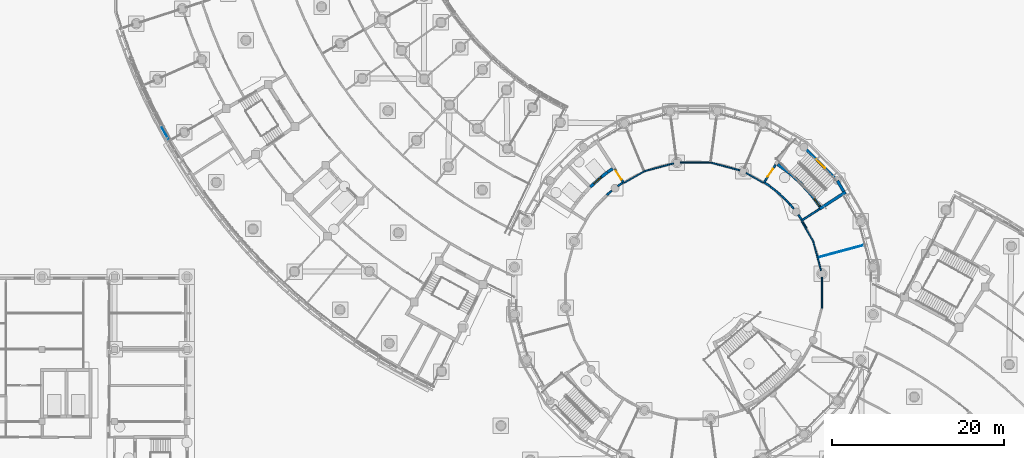
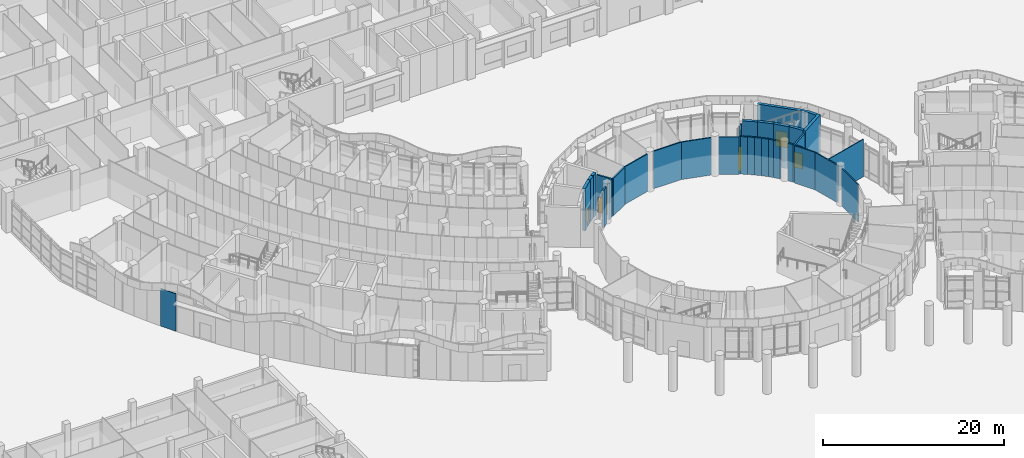
# One storey, part 63 of 146: 33 walls, 5 doors, 5 openings.
"""IFC4 building model written with IfcOpenShell, lengths in metres."""

from ifc_helpers import new_model, si_unit, direction, frame, frame_2d, origin, place, context, subcontext, project, spatial, rectangle, extrude, material, layer, layer_set, type_object, element, fill, save


model = new_model("IFC4")

# Units and contexts
model_context = context("Model", 3, precision=1e-05, world=origin(), true_north=direction((0.0, 1.0)))
body_context = subcontext(model_context, "Body", "Model", "MODEL_VIEW")
ifc_project = project(units=[si_unit("LENGTHUNIT", "METRE"), si_unit("AREAUNIT", "SQUARE_METRE"), si_unit("VOLUMEUNIT", "CUBIC_METRE"), si_unit("PLANEANGLEUNIT", "RADIAN"), si_unit("MASSUNIT", "GRAM", prefix="KILO")], contexts=[model_context])

# Site, building, storey
site_placement = place(None, origin())
site = spatial("IfcSite", under=ifc_project, at=site_placement, CompositionType="ELEMENT")
building_placement = place(site_placement, origin())
building = spatial("IfcBuilding", under=site, at=building_placement, Name="Bougainvillea Quay General Hospital", CompositionType="ELEMENT")
storey_placement = place(building_placement, origin())
storey = spatial("IfcBuildingStorey", under=building, at=storey_placement, Name="L00", CompositionType="ELEMENT", Elevation=0.0)

# Walls
ifc_material_1 = material(Name="Gypsum board partition on steel studs", Category="steel")
ifc_layer_1 = layer(ifc_material_1, 0.10009765625)
ifc_layer_set_1 = layer_set([ifc_layer_1], Name="Gypsum board partition on steel studs")
wall_type_1 = type_object("IfcWallType", Name="Partition 100 Gypsum board partition", PredefinedType="PARTITIONING", material=ifc_layer_set_1)
wall_1_placement = place(storey_placement, frame((123.640625, 77.869140625, 0.0), z_axis=(0.0, 0.0, 1.0), x_axis=(0.965887917043, 0.258960482912, 0.0)))
element("IfcWall", 1, at=wall_1_placement, inside=storey, type_object=wall_type_1, Name="Partition 100 mm", PredefinedType="PARTITIONING", context=body_context, shape_type="SweptSolid", body=[
    extrude(rectangle(XDim=5.419921875, YDim=0.10009765625, at=frame_2d((2.7099609375, 0.0))), origin(), (0.0, 0.0, 1.0), 5.050048828125),
])
wall_2_placement = place(storey_placement, frame((121.903076171875, 81.9765625, 0.0), z_axis=(0.0, 0.0, 1.0), x_axis=(0.510737664175, -0.859736609894, 0.0)))
element("IfcWall", 2, at=wall_2_placement, inside=storey, type_object=wall_type_1, Name="Partition 100 mm", PredefinedType="PARTITIONING", context=body_context, shape_type="SweptSolid", body=[
    extrude(rectangle(XDim=0.7939453125, YDim=0.10009765625, at=frame_2d((0.39697265625, 0.0))), origin(), (0.0, 0.0, 1.0), 5.050048828125),
])
ifc_layer_2 = layer(ifc_material_1, 0.10009765625)
ifc_layer_set_2 = layer_set([ifc_layer_2], Name="Gypsum board partition on steel studs")
wall_type_2 = type_object("IfcWallType", Name="Partition 100 Gypsum board partition EI 30", PredefinedType="PARTITIONING", material=ifc_layer_set_2)
wall_3_placement = place(storey_placement, frame((47.3837890625, 93.15771484375, 0.0), z_axis=(0.0, 0.0, 1.0), x_axis=(0.483136563149, -0.87554500818, 0.0)))
element("IfcWall", 3, at=wall_3_placement, inside=storey, type_object=wall_type_2, Name="Partition 100 mm EI 30", PredefinedType="PARTITIONING", context=body_context, shape_type="SweptSolid", body=[
    extrude(rectangle(XDim=1.961669921875, YDim=0.10009765625, at=frame_2d((0.98095703125, 0.0))), origin(), (0.0, 0.0, 1.0), 5.050048828125),
])
ifc_material_2 = material(Name="Gypsum board partition on steel studs, insulated", Category="steel")
ifc_layer_3 = layer(ifc_material_2, 0.14990234375)
ifc_layer_set_3 = layer_set([ifc_layer_3], Name="Gypsum board partition on steel studs, insulated")
wall_type_3 = type_object("IfcWallType", Name="Partition 150 Gypsum board partition", PredefinedType="PARTITIONING", material=ifc_layer_set_3)
wall_4_placement = place(storey_placement, frame((121.732666015625, 82.02294921875, 0.0), z_axis=(0.0, 0.0, 1.0), x_axis=(0.502063923765, -0.864830513138, 0.0)))
element("IfcWall", 4, at=wall_4_placement, inside=storey, type_object=wall_type_3, Name="Partition 150 mm", PredefinedType="PARTITIONING", context=body_context, shape_type="SweptSolid", body=[
    extrude(rectangle(XDim=2.71484375, YDim=0.14990234375, at=frame_2d((1.357421875, 0.0))), origin(), (0.0, 0.0, 1.0), 5.050048828125),
])
for number, where, z_axis, x_axis, name in (
    (5, (107.635009765625, 88.8720703125, 0.0), (0.0, 0.0, 1.0), (1.0, 0.0, 0.0), "Partition 150 mm"),
    (6, (124.072021484375, 71.967041015625, 0.0), (0.0, 0.0, 1.0), (0.0, 1.0, 0.0), "Partition 150 mm"),
):
    element("IfcWall", number, at=place(storey_placement, frame(where, z_axis=z_axis, x_axis=x_axis)), inside=storey, type_object=wall_type_3, Name=name, PredefinedType="PARTITIONING", context=body_context, shape_type="SweptSolid", body=[
        extrude(rectangle(XDim=3.597900390625, YDim=0.14990234375, at=frame_2d((1.798828125, 0.0))), origin(), (0.0, 0.0, 1.0), 5.050048828125),
    ])
wall_5_placement = place(storey_placement, frame((103.3876953125, 87.838623046875, 0.0), z_axis=(0.0, 0.0, 1.0), x_axis=(0.965887148397, 0.258963349841, 0.0)))
element("IfcWall", 7, at=wall_5_placement, inside=storey, type_object=wall_type_3, Name="Partition 150 mm", PredefinedType="PARTITIONING", context=body_context, shape_type="SweptSolid", body=[
    extrude(rectangle(XDim=3.59765625, YDim=0.14990234375, at=frame_2d((1.798828125, 0.0))), origin(), (0.0, 0.0, 1.0), 5.050048828125),
])
wall_6_placement = place(storey_placement, frame((111.214111328125, 88.85693359375, 0.0), z_axis=(0.0, 0.0, 1.0), x_axis=(0.965886698866, -0.258965026507, 0.0)))
element("IfcWall", 8, at=wall_6_placement, inside=storey, type_object=wall_type_3, Name="Partition 150 mm", PredefinedType="PARTITIONING", context=body_context, shape_type="SweptSolid", body=[
    extrude(rectangle(XDim=3.464599609375, YDim=0.14990234375, at=frame_2d((1.732421875, 0.0))), origin(), (0.0, 0.0, 1.0), 5.050048828125),
])
wall_7_placement = place(storey_placement, frame((123.072998046875, 79.68408203125, 0.0), z_axis=(0.0, 0.0, 1.0), x_axis=(0.258947401773, -0.965891424082, 0.0)))
element("IfcWall", 9, at=wall_7_placement, inside=storey, type_object=wall_type_3, Name="Partition 150 mm", PredefinedType="PARTITIONING", context=body_context, shape_type="SweptSolid", body=[
    extrude(rectangle(XDim=3.46484375, YDim=0.14990234375, at=frame_2d((1.732421875, 0.0))), origin(), (0.0, 0.0, 1.0), 5.050048828125),
])
wall_8_placement = place(storey_placement, frame((115.2802734375, 87.66162109375, 0.0), z_axis=(0.0, 0.0, 1.0), x_axis=(0.865934083379, -0.500158138236, 0.0)))
element("IfcWall", 10, at=wall_8_placement, inside=storey, type_object=wall_type_3, Name="Partition 150 mm", PredefinedType="PARTITIONING", context=body_context, shape_type="SweptSolid", body=[
    extrude(rectangle(XDim=2.247314453125, YDim=0.14990234375, at=frame_2d((1.12353515625, 0.0))), origin(), (0.0, 0.0, 1.0), 5.050048828125),
])
wall_9_placement = place(storey_placement, frame((101.173583984375, 86.53759765625, 0.0), z_axis=(0.0, 0.0, 1.0), x_axis=(0.86596515875, 0.500104332946, 0.0)))
element("IfcWall", 11, at=wall_9_placement, inside=storey, type_object=wall_type_3, Name="Partition 150 mm", PredefinedType="PARTITIONING", context=body_context, shape_type="SweptSolid", body=[
    extrude(rectangle(XDim=2.58251953125, YDim=0.14990234375, at=frame_2d((1.291259765625, 0.0))), origin(), (0.0, 0.0, 1.0), 5.050048828125),
])

# Wall, opening, door
ifc_material_3 = material(Name="Fire-rated autoclaved aerated block wall, plastered")
ifc_layer_4 = layer(ifc_material_3, 0.199951171875)
ifc_layer_set_4 = layer_set([ifc_layer_4], Name="Fire-rated autoclaved aerated block wall, plastered")
wall_type_4 = type_object("IfcWallType", Name="Partition 200 Fire-rated autoclaved aerated block wall EI 120", PredefinedType="SOLIDWALL", material=ifc_layer_set_4)
wall_10_placement = place(storey_placement, frame((117.3154296875, 86.49609375, 0.0), z_axis=(0.0, 0.0, 1.0), x_axis=(0.544553338247, 0.838726213853, 0.0)))
wall_10 = element("IfcWall", 12, at=wall_10_placement, inside=storey, type_object=wall_type_4, Name="Partition 200 mm EI 120", PredefinedType="SOLIDWALL", context=body_context, shape_type="SweptSolid", body=[
    extrude(rectangle(XDim=2.525390625, YDim=0.199951171875, at=frame_2d((1.2626953125, 0.0))), origin(), (0.0, 0.0, 1.0), 5.050048828125),
])
opening_1_placement = place(wall_10_placement, frame((0.85009765625, 0.0, 0.0)))
opening_1 = element("IfcOpeningElement", 13, at=opening_1_placement, cuts=wall_10, Name="Opening L00.313", PredefinedType="OPENING", context=body_context, shape_type="SweptSolid", body=[
    extrude(rectangle(XDim=1.10009765625, YDim=2.10009765625, at=frame_2d((0.550048828125, 1.050048828125))), frame((0.0, 0.10986328125, 0.0), z_axis=(0.0, -1.0, 0.0), x_axis=(1.0, 0.0, 0.0)), (0.0, 0.0, 1.0), 0.219970703125),
])
ifc_material_4 = material(Name="Solid-core timber door leaf in steel frame", Category="steel")
door_type_1 = type_object("IfcDoorType", Name="Single leaf door 1100x2100 FD60", OperationType="NOTDEFINED", PredefinedType="DOOR", material=ifc_material_4)
door_1_placement = place(opening_1_placement, frame((1.10009765625, 0.0, 0.0), z_axis=(0.0, 0.0, 1.0), x_axis=(-1.0, 0.0, 0.0)))
door_1 = element("IfcDoor", 14, at=door_1_placement, inside=storey, type_object=door_type_1, Name="DT19 L00.313", OperationType="SINGLE_SWING_LEFT", OverallHeight=2.10009765625, OverallWidth=1.10009765625, PredefinedType="DOOR", context=body_context, shape_type="SweptSolid", body=[
    extrude(rectangle(XDim=1.10009765625, YDim=2.10009765625, at=frame_2d((0.550048828125, 1.050048828125))), frame((0.0, 0.02490234375, 0.0), z_axis=(0.0, -1.0, 0.0), x_axis=(1.0, 0.0, 0.0)), (0.0, 0.0, 1.0), 0.050048828125),
])
fill(opening_1, door_1)

# Wall
wall_11_placement = place(storey_placement, frame((121.696044921875, 82.115478515625, 0.0), z_axis=(0.0, 0.0, 1.0), x_axis=(0.838726213853, 0.544553338247, 0.0)))
element("IfcWall", 15, at=wall_11_placement, inside=storey, type_object=wall_type_4, Name="Partition 200 mm EI 120", PredefinedType="SOLIDWALL", context=body_context, shape_type="SweptSolid", body=[
    extrude(rectangle(XDim=2.525390625, YDim=0.199951171875, at=frame_2d((1.2626953125, 0.0))), origin(), (0.0, 0.0, 1.0), 5.050048828125),
])

# Wall, opening, door
wall_12_placement = place(storey_placement, frame((100.036376953125, 88.110107421875, 0.0), z_axis=(0.0, 0.0, 1.0), x_axis=(0.544618190689, -0.838684104041, 0.0)))
wall_12 = element("IfcWall", 16, at=wall_12_placement, inside=storey, type_object=wall_type_4, Name="Partition 200 mm EI 120", PredefinedType="SOLIDWALL", context=body_context, shape_type="SweptSolid", body=[
    extrude(rectangle(XDim=1.924560546875, YDim=0.199951171875, at=frame_2d((0.96240234375, 0.0))), origin(), (0.0, 0.0, 1.0), 5.050048828125),
])
opening_2_placement = place(wall_12_placement, frame((0.224853515625, 0.0, 0.0)))
opening_2 = element("IfcOpeningElement", 17, at=opening_2_placement, cuts=wall_12, Name="Opening L00.249", PredefinedType="OPENING", context=body_context, shape_type="SweptSolid", body=[
    extrude(rectangle(XDim=1.199951171875, YDim=2.10009765625, at=frame_2d((0.60009765625, 1.050048828125))), frame((0.0, 0.10986328125, 0.0), z_axis=(0.0, -1.0, 0.0), x_axis=(1.0, 0.0, 0.0)), (0.0, 0.0, 1.0), 0.219970703125),
])
door_type_2 = type_object("IfcDoorType", Name="Single leaf door 1200x2100 FD60", OperationType="NOTDEFINED", PredefinedType="DOOR", material=ifc_material_4)
door_2_placement = place(opening_2_placement, frame((1.199951171875, 0.0, 0.0), z_axis=(0.0, 0.0, 1.0), x_axis=(-1.0, 0.0, 0.0)))
door_2 = element("IfcDoor", 18, at=door_2_placement, inside=storey, type_object=door_type_2, Name="DT12 L00.249", OperationType="SINGLE_SWING_RIGHT", OverallHeight=2.10009765625, OverallWidth=1.199951171875, PredefinedType="DOOR", context=body_context, shape_type="SweptSolid", body=[
    extrude(rectangle(XDim=1.199951171875, YDim=2.10009765625, at=frame_2d((0.60009765625, 1.050048828125))), frame((0.0, 0.02490234375, 0.0), z_axis=(0.0, -1.0, 0.0), x_axis=(1.0, 0.0, 0.0)), (0.0, 0.0, 1.0), 0.050048828125),
])
fill(opening_2, door_2)

# Walls
for number, where, z_axis, x_axis, name in (
    (19, (100.382568359375, 86.134765625, 0.0), (0.0, 0.0, 1.0), (0.823886668557, 0.56675458302, 0.0), "Partition 200 mm EI 120"),
    (20, (121.334716796875, 82.8173828125, 0.0), (0.0, 0.0, 1.0), (0.56675458302, -0.823886668557, 0.0), "Partition 200 mm EI 120"),
):
    element("IfcWall", number, at=place(storey_placement, frame(where, z_axis=z_axis, x_axis=x_axis)), inside=storey, type_object=wall_type_4, Name=name, PredefinedType="SOLIDWALL", context=body_context, shape_type="SweptSolid", body=[
        extrude(rectangle(XDim=0.6884765625, YDim=0.199951171875, at=frame_2d((0.34423828125, 0.0))), origin(), (0.0, 0.0, 1.0), 5.050048828125),
    ])
wall_13_placement = place(storey_placement, frame((117.4501953125, 86.52490234375, 0.0), z_axis=(0.0, 0.0, 1.0), x_axis=(0.823906287356, -0.566726062269, 0.0)))
element("IfcWall", 21, at=wall_13_placement, inside=storey, type_object=wall_type_4, Name="Partition 200 mm EI 120", PredefinedType="SOLIDWALL", context=body_context, shape_type="SweptSolid", body=[
    extrude(rectangle(XDim=0.787841796875, YDim=0.199951171875, at=frame_2d((0.39404296875, 0.0))), origin(), (0.0, 0.0, 1.0), 5.050048828125),
])
for number, where, z_axis, x_axis, name in (
    (22, (118.09228515625, 86.0771484375, 0.0), (0.0, 0.0, 1.0), (0.793427303362, -0.608665026333, 0.0), "Partition 200 mm EI 120"),
    (23, (120.281982421875, 84.113037109375, 0.0), (0.0, 0.0, 1.0), (0.649645835292, -0.76023699508, 0.0), "Partition 200 mm EI 120"),
):
    element("IfcWall", number, at=place(storey_placement, frame(where, z_axis=z_axis, x_axis=x_axis)), inside=storey, type_object=wall_type_4, Name=name, PredefinedType="SOLIDWALL", context=body_context, shape_type="SweptSolid", body=[
        extrude(rectangle(XDim=0.790283203125, YDim=0.199951171875, at=frame_2d((0.39501953125, 0.0))), origin(), (0.0, 0.0, 1.0), 5.050048828125),
    ])
for number, where, z_axis, x_axis, name in (
    (24, (99.0869140625, 85.08203125, 0.0), (0.0, 0.0, 1.0), (0.760389572583, 0.649467241597, 0.0), "Partition 200 mm EI 120"),
    (25, (118.712158203125, 85.59521484375, 0.0), (0.0, 0.0, 1.0), (0.760389572583, -0.649467241597, 0.0), "Partition 200 mm EI 120"),
):
    element("IfcWall", number, at=place(storey_placement, frame(where, z_axis=z_axis, x_axis=x_axis)), inside=storey, type_object=wall_type_4, Name=name, PredefinedType="SOLIDWALL", context=body_context, shape_type="SweptSolid", body=[
        extrude(rectangle(XDim=0.7900390625, YDim=0.199951171875, at=frame_2d((0.39501953125, 0.0))), origin(), (0.0, 0.0, 1.0), 5.050048828125),
    ])
wall_14_placement = place(storey_placement, frame((119.305908203125, 85.08154296875, 0.0), z_axis=(0.0, 0.0, 1.0), x_axis=(0.726001390363, -0.687693231893, 0.0)))
element("IfcWall", 26, at=wall_14_placement, inside=storey, type_object=wall_type_4, Name="Partition 200 mm EI 120", PredefinedType="SOLIDWALL", context=body_context, shape_type="SweptSolid", body=[
    extrude(rectangle(XDim=0.790283203125, YDim=0.199951171875, at=frame_2d((0.39501953125, 0.0))), origin(), (0.0, 0.0, 1.0), 5.050048828125),
])
wall_15_placement = place(storey_placement, frame((119.872314453125, 84.5380859375, 0.0), z_axis=(0.0, 0.0, 1.0), x_axis=(0.687562563481, -0.726125141624, 0.0)))
element("IfcWall", 27, at=wall_15_placement, inside=storey, type_object=wall_type_4, Name="Partition 200 mm EI 120", PredefinedType="SOLIDWALL", context=body_context, shape_type="SweptSolid", body=[
    extrude(rectangle(XDim=0.59521484375, YDim=0.199951171875, at=frame_2d((0.297607421875, 0.0))), origin(), (0.0, 0.0, 1.0), 5.050048828125),
])

# Wall, opening, door
ifc_material_5 = material(Name="Concrete C40", Category="concrete")
ifc_layer_5 = layer(ifc_material_5, 0.35009765625)
ifc_layer_set_5 = layer_set([ifc_layer_5], Name="Concrete C40")
wall_type_5 = type_object("IfcWallType", Name="RC SHEAR WALL 350 C40", PredefinedType="SHEAR", material=ifc_layer_set_5)
wall_16_placement = place(storey_placement, frame((97.18408203125, 86.025634765625, -0.300048828125), z_axis=(0.0, 0.0, 1.0), x_axis=(0.743452252039, 0.668789016759, 0.0)))
wall_16 = element("IfcWall", 28, at=wall_16_placement, inside=storey, type_object=wall_type_5, Name="Shear wall L00", PredefinedType="SHEAR", context=body_context, shape_type="SweptSolid", body=[
    extrude(rectangle(XDim=1.765625, YDim=0.35009765625, at=frame_2d((0.8828125, 0.0))), origin(), (0.0, 0.0, 1.0), 5.699951171875),
])
opening_3_placement = place(wall_16_placement, frame((0.565673828125, 0.0, 0.300048828125)))
opening_3 = element("IfcOpeningElement", 29, at=opening_3_placement, cuts=wall_16, Name="Opening LD-H1.1-L00", PredefinedType="OPENING", context=body_context, shape_type="SweptSolid", body=[
    extrude(rectangle(XDim=1.10009765625, YDim=2.10009765625, at=frame_2d((0.550048828125, 1.050048828125))), frame((0.0, 0.18505859375, 0.0), z_axis=(0.0, -1.0, 0.0), x_axis=(1.0, 0.0, 0.0)), (0.0, 0.0, 1.0), 0.3701171875),
])
ifc_material_6 = material(Name="Stainless steel centre-opening landing door", Category="steel")
door_type_3 = type_object("IfcDoorType", Name="Lift landing door 1100x2100 E 120", OperationType="DOUBLE_DOOR_SLIDING", PredefinedType="DOOR", material=ifc_material_6)
door_3_placement = place(opening_3_placement, origin())
door_3 = element("IfcDoor", 30, at=door_3_placement, inside=storey, type_object=door_type_3, Name="Lift landing door LB-H1-1 L00", OperationType="DOUBLE_DOOR_SLIDING", OverallHeight=2.10009765625, OverallWidth=1.10009765625, PredefinedType="DOOR", context=body_context, shape_type="SweptSolid", body=[
    extrude(rectangle(XDim=1.10009765625, YDim=2.10009765625, at=frame_2d((0.550048828125, 1.050048828125))), frame((0.0, 0.02490234375, 0.0), z_axis=(0.0, -1.0, 0.0), x_axis=(1.0, 0.0, 0.0)), (0.0, 0.0, 1.0), 0.050048828125),
])
fill(opening_3, door_3)

# Walls
wall_17_placement = place(storey_placement, frame((98.50732421875, 87.215087890625, -0.300048828125), z_axis=(0.0, 0.0, 1.0), x_axis=(0.793181366791, 0.608985483715, 0.0)))
element("IfcWall", 31, at=wall_17_placement, inside=storey, type_object=wall_type_5, Name="Shear wall L00", PredefinedType="SHEAR", context=body_context, shape_type="SweptSolid", body=[
    extrude(rectangle(XDim=0.878662109375, YDim=0.35009765625, at=frame_2d((0.439453125, 0.0))), origin(), (0.0, 0.0, 1.0), 5.699951171875),
])
wall_18_placement = place(storey_placement, frame((99.211669921875, 87.755615234375, -0.300048828125), z_axis=(0.0, 0.0, 1.0), x_axis=(0.824031893461, 0.566543412776, 0.0)))
element("IfcWall", 32, at=wall_18_placement, inside=storey, type_object=wall_type_5, Name="Shear wall L00", PredefinedType="SHEAR", context=body_context, shape_type="SweptSolid", body=[
    extrude(rectangle(XDim=0.710205078125, YDim=0.35009765625, at=frame_2d((0.35498046875, 0.0))), origin(), (0.0, 0.0, 1.0), 5.699951171875),
])
wall_19_placement = place(storey_placement, frame((118.927490234375, 88.658203125, -0.300048828125), z_axis=(0.0, 0.0, 1.0), x_axis=(0.808869786542, -0.587987813155, 0.0)))
element("IfcWall", 33, at=wall_19_placement, inside=storey, type_object=wall_type_5, Name="Shear wall L00", PredefinedType="SHEAR", context=body_context, shape_type="SweptSolid", body=[
    extrude(rectangle(XDim=1.657958984375, YDim=0.35009765625, at=frame_2d((0.8291015625, 0.0))), origin(), (0.0, 0.0, 1.0), 5.699951171875),
])
for number, where, z_axis, x_axis, name in (
    (34, (120.28271484375, 87.671875, -0.300048828125), (0.0, 0.0, 1.0), (0.743081147279, -0.669201321397, 0.0), "Shear wall L00"),
    (35, (121.651123046875, 86.438232421875, -0.300048828125), (0.0, 0.0, 1.0), (0.669201321397, -0.743081147279, 0.0), "Shear wall L00"),
):
    element("IfcWall", number, at=place(storey_placement, frame(where, z_axis=z_axis, x_axis=x_axis)), inside=storey, type_object=wall_type_5, Name=name, PredefinedType="SHEAR", context=body_context, shape_type="SweptSolid", body=[
        extrude(rectangle(XDim=1.82421875, YDim=0.35009765625, at=frame_2d((0.912109375, 0.0))), origin(), (0.0, 0.0, 1.0), 5.699951171875),
    ])

# Wall, opening, door
wall_20_placement = place(storey_placement, frame((122.000244140625, 90.643798828125, -0.300048828125), z_axis=(0.0, 0.0, 1.0), x_axis=(0.707106781187, -0.707106781187, 0.0)))
wall_20 = element("IfcWall", 36, at=wall_20_placement, inside=storey, type_object=wall_type_5, Name="Shear wall L00", PredefinedType="SHEAR", context=body_context, shape_type="SweptSolid", body=[
    extrude(rectangle(XDim=5.435546875, YDim=0.35009765625, at=frame_2d((2.7177734375, 0.0))), origin(), (0.0, 0.0, 1.0), 5.699951171875),
])
opening_4_placement = place(wall_20_placement, frame((2.01806640625, 0.0, 0.300048828125)))
opening_4 = element("IfcOpeningElement", 37, at=opening_4_placement, cuts=wall_20, Name="Opening L00.351", PredefinedType="OPENING", context=body_context, shape_type="SweptSolid", body=[
    extrude(rectangle(XDim=1.39990234375, YDim=2.10009765625, at=frame_2d((0.699951171875, 1.050048828125))), frame((0.0, 0.18505859375, 0.0), z_axis=(0.0, -1.0, 0.0), x_axis=(1.0, 0.0, 0.0)), (0.0, 0.0, 1.0), 0.3701171875),
])
ifc_material_7 = material(Name="Steel door leaf, painted, with vision panel", Category="steel")
door_type_4 = type_object("IfcDoorType", Name="Stair discharge door 1400x2100", OperationType="SINGLE_SWING_LEFT", PredefinedType="DOOR", material=ifc_material_7)
door_4_placement = place(opening_4_placement, origin())
door_4 = element("IfcDoor", 38, at=door_4_placement, inside=storey, type_object=door_type_4, Name="Stair discharge door ST-H1", OperationType="SINGLE_SWING_LEFT", OverallHeight=2.10009765625, OverallWidth=1.39990234375, PredefinedType="DOOR", context=body_context, shape_type="SweptSolid", body=[
    extrude(rectangle(XDim=1.39990234375, YDim=2.10009765625, at=frame_2d((0.699951171875, 1.050048828125))), frame((0.0, 0.02490234375, 0.0), z_axis=(0.0, -1.0, 0.0), x_axis=(1.0, 0.0, 0.0)), (0.0, 0.0, 1.0), 0.050048828125),
])
fill(opening_4, door_4)

wall_21_placement = place(storey_placement, frame((122.88330078125, 85.068603515625, -0.300048828125), z_axis=(0.0, 0.0, 1.0), x_axis=(0.587987813155, -0.808869786542, 0.0)))
wall_21 = element("IfcWall", 39, at=wall_21_placement, inside=storey, type_object=wall_type_5, Name="Shear wall L00", PredefinedType="SHEAR", context=body_context, shape_type="SweptSolid", body=[
    extrude(rectangle(XDim=1.657958984375, YDim=0.35009765625, at=frame_2d((0.8291015625, 0.0))), origin(), (0.0, 0.0, 1.0), 5.699951171875),
])
opening_5_placement = place(wall_21_placement, frame((0.457763671875, 0.0, 0.300048828125)))
opening_5 = element("IfcOpeningElement", 40, at=opening_5_placement, cuts=wall_21, Name="Opening L00.312", PredefinedType="OPENING", context=body_context, shape_type="SweptSolid", body=[
    extrude(rectangle(XDim=1.10009765625, YDim=2.10009765625, at=frame_2d((0.550048828125, 1.050048828125))), frame((0.0, 0.18505859375, 0.0), z_axis=(0.0, -1.0, 0.0), x_axis=(1.0, 0.0, 0.0)), (0.0, 0.0, 1.0), 0.3701171875),
])
ifc_material_8 = material(Name="Steel fire door leaf in steel frame", Category="steel")
door_type_5 = type_object("IfcDoorType", Name="Steel single leaf door 1100x2100 FD60", OperationType="NOTDEFINED", PredefinedType="DOOR", material=ifc_material_8)
door_5_placement = place(opening_5_placement, origin())
door_5 = element("IfcDoor", 41, at=door_5_placement, inside=storey, type_object=door_type_5, Name="DT04 L00.312", OperationType="SINGLE_SWING_RIGHT", OverallHeight=2.10009765625, OverallWidth=1.10009765625, PredefinedType="DOOR", context=body_context, shape_type="SweptSolid", body=[
    extrude(rectangle(XDim=1.10009765625, YDim=2.10009765625, at=frame_2d((0.550048828125, 1.050048828125))), frame((0.0, 0.02490234375, 0.0), z_axis=(0.0, -1.0, 0.0), x_axis=(1.0, 0.0, 0.0)), (0.0, 0.0, 1.0), 0.050048828125),
])
fill(opening_5, door_5)

# Walls
wall_22_placement = place(storey_placement, frame((123.814208984375, 83.49072265625, -0.300048828125), z_axis=(0.0, 0.0, 1.0), x_axis=(0.838691576971, 0.544606682587, 0.0)))
element("IfcWall", 42, at=wall_22_placement, inside=storey, type_object=wall_type_5, Name="Shear wall L00", PredefinedType="SHEAR", context=body_context, shape_type="SweptSolid", body=[
    extrude(rectangle(XDim=3.597900390625, YDim=0.35009765625, at=frame_2d((1.798828125, 0.0))), origin(), (0.0, 0.0, 1.0), 5.699951171875),
])
wall_23_placement = place(storey_placement, frame((125.87158203125, 86.76416015625, -0.300048828125), z_axis=(0.0, 0.0, 1.0), x_axis=(0.499882561262, -0.866093196455, 0.0)))
element("IfcWall", 43, at=wall_23_placement, inside=storey, type_object=wall_type_5, Name="Shear wall L00", PredefinedType="SHEAR", context=body_context, shape_type="SweptSolid", body=[
    extrude(rectangle(XDim=1.451904296875, YDim=0.35009765625, at=frame_2d((0.72607421875, 0.0))), origin(), (0.0, 0.0, 1.0), 5.699951171875),
])

save(model, "model.ifc")
